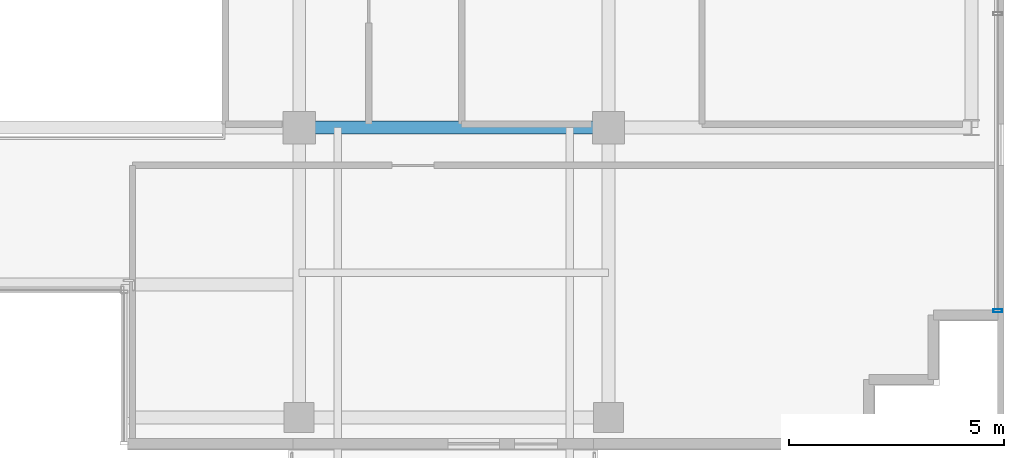
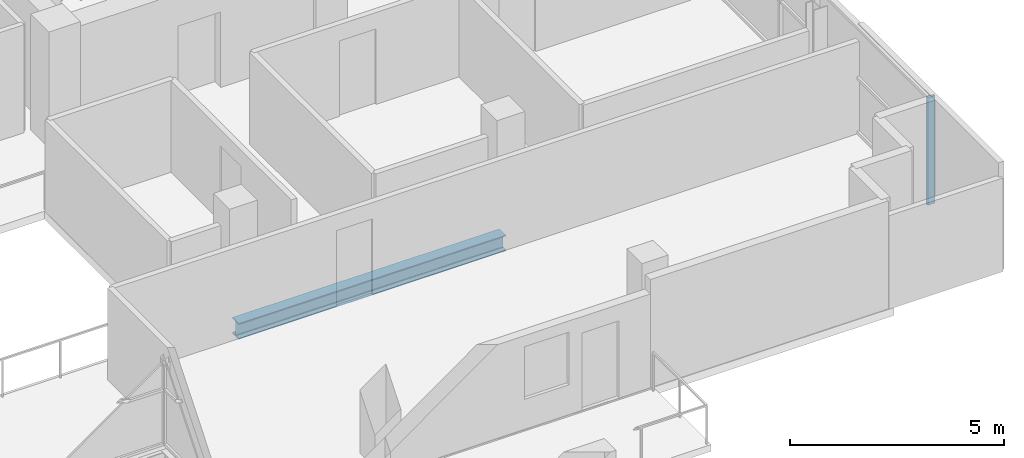
# One storey, part 7 of 21: 1 beam, 1 member, 1 element without a shape of its own.
"""IFC4 building model written with IfcOpenShell, lengths in metres."""

from ifc_helpers import new_model, si_unit, direction, frame, origin, origin_2d, place, context, subcontext, project, spatial, hollow_rectangle, i_section, extrude, source, transform, mapped, material, layer, layer_set, material_profile, profile_set, type_object, element, aggregate, save


model = new_model("IFC4")

# Units and contexts
model_context = context("Model", 3, precision=1e-05, world=origin(), true_north=direction((0.0, 1.0)))
body_context = subcontext(model_context, "Body", "Model", "MODEL_VIEW")
ifc_project = project(units=[si_unit("LENGTHUNIT", "METRE"), si_unit("AREAUNIT", "SQUARE_METRE"), si_unit("VOLUMEUNIT", "CUBIC_METRE"), si_unit("PLANEANGLEUNIT", "RADIAN"), si_unit("MASSUNIT", "GRAM", prefix="KILO")], contexts=[model_context])

# Site, building, storey
site_placement = place(None, origin())
site = spatial("IfcSite", under=ifc_project, at=site_placement, CompositionType="ELEMENT")
building_placement = place(site_placement, origin())
building = spatial("IfcBuilding", under=site, at=building_placement, Name="Zarnakvel Exchange Tower", CompositionType="ELEMENT")
storey_placement = place(building_placement, frame((0.0, 0.0, 241.89990234375)))
storey = spatial("IfcBuildingStorey", under=building, at=storey_placement, Name="L68", CompositionType="ELEMENT", Elevation=241.89990234375)

# Beam
ifc_material_1 = material(Name="Steel S355", Category="steel")
ifc_material_profile_1 = material_profile(ifc_material_1, i_section(OverallWidth=0.300048828125, OverallDepth=0.449951171875, WebThickness=0.013916015625, FlangeThickness=0.02587890625, FilletRadius=0.027099609375, at=origin_2d()))
ifc_profile_set_1 = profile_set([ifc_material_profile_1], Name="Steel S355")
beam_type = type_object("IfcBeamType", Name="G-07", PredefinedType="BEAM", material=ifc_profile_set_1)
beam_placement = place(storey_placement, frame((7.199951171875, -9.60009765625, -0.449951171875), z_axis=(1.0, 0.0, 0.0), x_axis=(0.0, 1.0, 0.0)))
element("IfcBeam", 1, at=beam_placement, inside=storey, type_object=beam_type, Name="L68 Tower E-W Frame Beam", PredefinedType="BEAM", context=body_context, shape_type="SweptSolid", body=[
    extrude(i_section(OverallWidth=0.300048828125, OverallDepth=0.449951171875, WebThickness=0.013916015625, FlangeThickness=0.02587890625, FilletRadius=0.027099609375, at=origin_2d()), origin(), (0.0, 0.0, 1.0), 7.199951171875),
])

# Curtain wall, member
ifc_material_2 = material(Name="Architectural Bronze Anodised Aluminium", Category="aluminium")
ifc_layer = layer(ifc_material_2, 0.199951171875)
ifc_layer_set = layer_set([ifc_layer], Name="Architectural Bronze Anodised Aluminium")
curtain_wall_type = type_object("IfcCurtainWallType", Name="CW-04", PredefinedType="NOTDEFINED", material=ifc_layer_set)
curtain_wall_placement = place(storey_placement, origin())
curtain_wall = element("IfcCurtainWall", 2, at=curtain_wall_placement, inside=storey, type_object=curtain_wall_type, Name="L68 Curtain Wall CW-L68-E1 (CW-04)", PredefinedType="NOTDEFINED")
ifc_material_profile_2 = material_profile(ifc_material_2, hollow_rectangle(XDim=0.199951171875, YDim=0.074951171875, WallThickness=0.0048828125, at=origin_2d()))
ifc_profile_set_2 = profile_set([ifc_material_profile_2], Name="Architectural Bronze Anodised Aluminium")
member_type = type_object("IfcMemberType", Name="CWM-04", PredefinedType="MULLION", material=ifc_profile_set_2)
shared_shape = source(origin(), body_context, "Body", "SweptSolid", [
    extrude(hollow_rectangle(XDim=0.199951171875, YDim=0.074951171875, WallThickness=0.0048828125, at=origin_2d()), origin(), (0.0, 0.0, 1.0), 3.05517578125),
])
member_placement = place(storey_placement, frame((23.4599609375, -13.862548828125, 0.0), z_axis=(0.0, 0.0, 1.0), x_axis=(-1.0, 0.0, 0.0)))
member = element("IfcMember", 3, at=member_placement, type_object=member_type, Name="CW-04 mullion 1", PredefinedType="MULLION", context=body_context, shape_type="MappedRepresentation", body=[
    mapped(shared_shape, transform((0.0, 0.0, 0.0), x_axis=(1.0, 0.0, 0.0), y_axis=(0.0, 1.0, 0.0), z_axis=(0.0, 0.0, 1.0), scale=1.0)),
])
aggregate(curtain_wall, [member])

save(model, "model.ifc")
